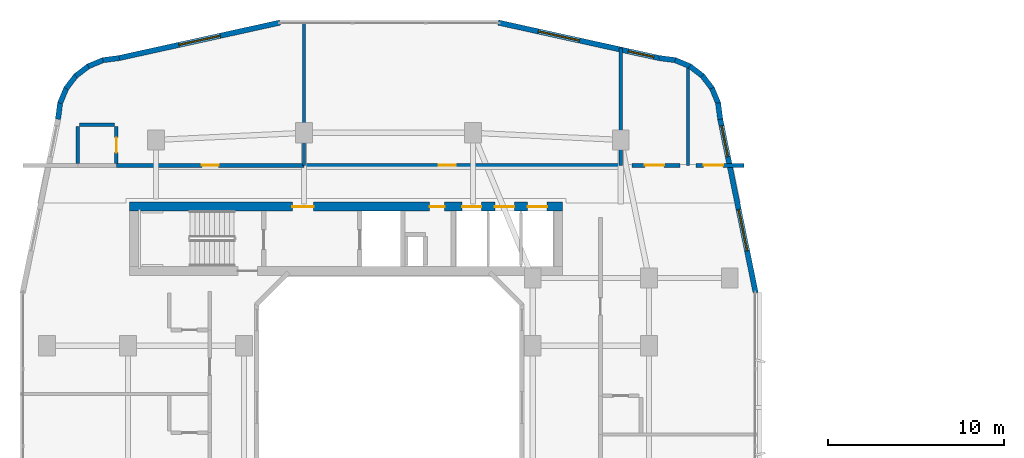
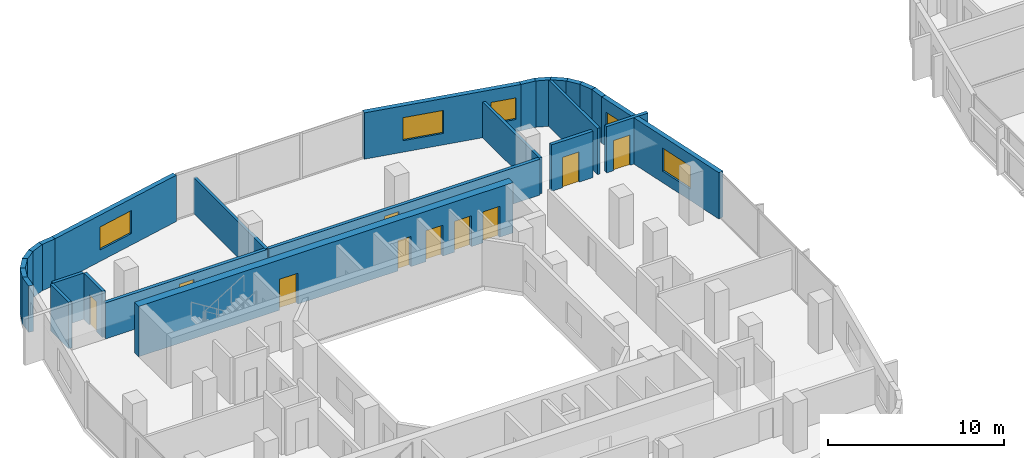
# One storey, part 16 of 26: 26 walls, 10 doors, 5 windows, 15 openings.
"""IFC4 building model written with IfcOpenShell, lengths in metres."""

from ifc_helpers import new_model, si_unit, derived_unit, direction, frame, frame_2d, origin, place, context, subcontext, project, spatial, rectangle, extrude, material, layer, layer_set, type_object, element, fill, save


model = new_model("IFC4")

# Units and contexts
model_context = context("Model", 3, precision=1e-05, world=origin(), true_north=direction((0.0, 1.0)))
body_context = subcontext(model_context, "Body", "Model", "MODEL_VIEW")
ifc_project = project(units=[si_unit("LENGTHUNIT", "METRE"), si_unit("AREAUNIT", "SQUARE_METRE"), si_unit("VOLUMEUNIT", "CUBIC_METRE"), si_unit("PLANEANGLEUNIT", "RADIAN"), si_unit("MASSUNIT", "GRAM", prefix="KILO"), derived_unit("THERMALTRANSMITTANCEUNIT", [(si_unit("POWERUNIT", "WATT"), 1), (si_unit("LENGTHUNIT", "METRE"), -2), (si_unit("THERMODYNAMICTEMPERATUREUNIT", "KELVIN"), -1)])], contexts=[model_context])

# Site, building, storey
site_placement = place(None, origin())
site = spatial("IfcSite", under=ifc_project, at=site_placement, CompositionType="ELEMENT")
building_placement = place(site_placement, origin())
building = spatial("IfcBuilding", under=site, at=building_placement, Name="Kivonza Crest Hotel", CompositionType="ELEMENT")
storey_placement = place(building_placement, frame((0.0, 0.0, 66.0)))
storey = spatial("IfcBuildingStorey", under=building, at=storey_placement, Name="L17", CompositionType="ELEMENT", Elevation=66.0)

# Walls
ifc_material_1 = material(Name="High-density acoustic masonry inter-tenancy wall", Category="masonry")
ifc_layer_1 = layer(ifc_material_1, 0.179931640625)
ifc_layer_set_1 = layer_set([ifc_layer_1], Name="High-density acoustic masonry inter-tenancy wall")
wall_type_1 = type_object("IfcWallType", Name="WL-ACOU-180", PredefinedType="SOLIDWALL", material=ifc_layer_set_1)
wall_1_placement = place(storey_placement, frame((16.199951171875, 38.75, 0.0), z_axis=(0.0, 0.0, 1.0), x_axis=(0.0, 1.0, 0.0)))
element("IfcWall", 1, at=wall_1_placement, inside=storey, type_object=wall_type_1, Name="L17 interior partition WA-L17-T1N-DIV1", PredefinedType="SOLIDWALL", context=body_context, shape_type="SweptSolid", body=[
    extrude(rectangle(XDim=8.18994140625, YDim=0.179931640625, at=frame_2d((4.094970703125, 0.0))), origin(), (0.0, 0.0, 1.0), 2.4951171875),
])
wall_2_placement = place(storey_placement, frame((34.199951171875, 38.75, 0.0), z_axis=(0.0, 0.0, 1.0), x_axis=(0.0, 1.0, 0.0)))
element("IfcWall", 2, at=wall_2_placement, inside=storey, type_object=wall_type_1, Name="L17 interior partition WA-L17-T1N-DIV2", PredefinedType="SOLIDWALL", context=body_context, shape_type="SweptSolid", body=[
    extrude(rectangle(XDim=6.674072265625, YDim=0.179931640625, at=frame_2d((3.3369140625, 0.0))), origin(), (0.0, 0.0, 1.0), 2.4951171875),
])
wall_3_placement = place(storey_placement, frame((38.02001953125, 38.75, 0.0), z_axis=(0.0, 0.0, 1.0), x_axis=(0.0, 1.0, 0.0)))
element("IfcWall", 3, at=wall_3_placement, inside=storey, type_object=wall_type_1, Name="L17 interior partition WA-L17-T1N-SPDIV2", PredefinedType="SOLIDWALL", context=body_context, shape_type="SweptSolid", body=[
    extrude(rectangle(XDim=5.778076171875, YDim=0.179931640625, at=frame_2d((2.88916015625, 0.0))), origin(), (0.0, 0.0, 1.0), 3.219970703125),
])

# Wall, opening, door
ifc_material_2 = material(Name="Autoclaved aerated concrete blockwork", Category="masonry")
ifc_layer_2 = layer(ifc_material_2, 0.219970703125)
ifc_layer_set_2 = layer_set([ifc_layer_2], Name="Autoclaved aerated concrete blockwork")
wall_type_2 = type_object("IfcWallType", Name="WL-ACOU-220", PredefinedType="SOLIDWALL", material=ifc_layer_set_2)
wall_4_placement = place(storey_placement, frame((5.550048828125, 38.75, 0.0), z_axis=(0.0, 0.0, 1.0), x_axis=(1.0, 0.0, 0.0)))
wall_4 = element("IfcWall", 4, at=wall_4_placement, inside=storey, type_object=wall_type_2, Name="L17 interior partition WA-L17-N01-MCORR", PredefinedType="SOLIDWALL", context=body_context, shape_type="SweptSolid", body=[
    extrude(rectangle(XDim=10.64990234375, YDim=0.219970703125, at=frame_2d((5.324951171875, 0.0))), origin(), (0.0, 0.0, 1.0), 2.4951171875),
])
opening_1_placement = place(wall_4_placement, frame((4.85009765625, 0.0, 0.0)))
opening_1 = element("IfcOpeningElement", 5, at=opening_1_placement, cuts=wall_4, Name="Opening DU-60", PredefinedType="OPENING", context=body_context, shape_type="SweptSolid", body=[
    extrude(rectangle(XDim=0.949951171875, YDim=2.10009765625, at=frame_2d((0.47509765625, 1.050048828125))), frame((0.0, 0.1201171875, 0.0), z_axis=(0.0, -1.0, 0.0), x_axis=(1.0, 0.0, 0.0)), (0.0, 0.0, 1.0), 0.239990234375),
])
ifc_material_3 = material(Name="Hardwood timber oak", Category="wood")
door_type_1 = type_object("IfcDoorType", Name="DR-UNIT-950", OperationType="NOTDEFINED", PredefinedType="DOOR", material=ifc_material_3)
door_1_placement = place(opening_1_placement, origin())
door_1 = element("IfcDoor", 6, at=door_1_placement, inside=storey, type_object=door_type_1, Name="L17 N01 guest unit entrance fire door", OperationType="SINGLE_SWING_LEFT", OverallHeight=2.10009765625, OverallWidth=0.949951171875, PredefinedType="DOOR", context=body_context, shape_type="SweptSolid", body=[
    extrude(rectangle(XDim=0.949951171875, YDim=2.10009765625, at=frame_2d((0.47509765625, 1.050048828125))), frame((0.0, 0.02490234375, 0.0), z_axis=(0.0, -1.0, 0.0), x_axis=(1.0, 0.0, 0.0)), (0.0, 0.0, 1.0), 0.050048828125),
])
fill(opening_1, door_1)

wall_5_placement = place(storey_placement, frame((16.300048828125, 38.75, 0.0), z_axis=(0.0, 0.0, 1.0), x_axis=(1.0, 0.0, 0.0)))
wall_5 = element("IfcWall", 7, at=wall_5_placement, inside=storey, type_object=wall_type_2, Name="L17 interior partition WA-L17-HK-MAIN-S", PredefinedType="SOLIDWALL", context=body_context, shape_type="SweptSolid", body=[
    extrude(rectangle(XDim=17.800048828125, YDim=0.219970703125, at=frame_2d((8.89990234375, 0.0))), origin(), (0.0, 0.0, 1.0), 2.4951171875),
])
opening_2_placement = place(wall_5_placement, frame((7.572998046875, 0.0, 0.0)))
opening_2 = element("IfcOpeningElement", 8, at=opening_2_placement, cuts=wall_5, Name="Opening DF-60S", PredefinedType="OPENING", context=body_context, shape_type="SweptSolid", body=[
    extrude(rectangle(XDim=0.949951171875, YDim=2.10009765625, at=frame_2d((0.47509765625, 1.050048828125))), frame((0.0, 0.1201171875, 0.0), z_axis=(0.0, -1.0, 0.0), x_axis=(1.0, 0.0, 0.0)), (0.0, 0.0, 1.0), 0.239990234375),
])
door_type_2 = type_object("IfcDoorType", Name="DR-FD60-950", OperationType="NOTDEFINED", PredefinedType="DOOR", material=ifc_material_3)
door_2_placement = place(opening_2_placement, origin())
door_2 = element("IfcDoor", 9, at=door_2_placement, inside=storey, type_object=door_type_2, Name="L17 Housekeeping and Linen Room door", OperationType="SINGLE_SWING_RIGHT", OverallHeight=2.10009765625, OverallWidth=0.949951171875, PredefinedType="DOOR", context=body_context, shape_type="SweptSolid", body=[
    extrude(rectangle(XDim=0.949951171875, YDim=2.10009765625, at=frame_2d((0.47509765625, 1.050048828125))), frame((0.0, 0.02490234375, 0.0), z_axis=(0.0, -1.0, 0.0), x_axis=(1.0, 0.0, 0.0)), (0.0, 0.0, 1.0), 0.050048828125),
])
fill(opening_2, door_2)

wall_6_placement = place(storey_placement, frame((34.85009765625, 38.75, 0.0), z_axis=(0.0, 0.0, 1.0), x_axis=(1.0, 0.0, 0.0)))
wall_6 = element("IfcWall", 10, at=wall_6_placement, inside=storey, type_object=wall_type_2, Name="L17 interior partition WA-L17-Z1-NBIZ2A-S", PredefinedType="SOLIDWALL", context=body_context, shape_type="SweptSolid", body=[
    extrude(rectangle(XDim=2.719970703125, YDim=0.219970703125, at=frame_2d((1.35986328125, 0.0))), origin(), (0.0, 0.0, 1.0), 3.219970703125),
])
opening_3_placement = place(wall_6_placement, frame((0.718994140625, 0.0, 0.0)))
opening_3 = element("IfcOpeningElement", 11, at=opening_3_placement, cuts=wall_6, Name="Opening DF-60M", PredefinedType="OPENING", context=body_context, shape_type="SweptSolid", body=[
    extrude(rectangle(XDim=1.10009765625, YDim=2.10009765625, at=frame_2d((0.550048828125, 1.050048828125))), frame((0.0, 0.1201171875, 0.0), z_axis=(0.0, -1.0, 0.0), x_axis=(1.0, 0.0, 0.0)), (0.0, 0.0, 1.0), 0.239990234375),
])
door_type_3 = type_object("IfcDoorType", Name="DR-FD60-1100", OperationType="NOTDEFINED", PredefinedType="DOOR", material=ifc_material_3)
door_3_placement = place(opening_3_placement, origin())
door_3 = element("IfcDoor", 12, at=door_3_placement, inside=storey, type_object=door_type_3, Name="L17 Executive Sky Business Office door", OperationType="SINGLE_SWING_RIGHT", OverallHeight=2.10009765625, OverallWidth=1.10009765625, PredefinedType="DOOR", context=body_context, shape_type="SweptSolid", body=[
    extrude(rectangle(XDim=1.10009765625, YDim=2.10009765625, at=frame_2d((0.550048828125, 1.050048828125))), frame((0.0, 0.02490234375, 0.0), z_axis=(0.0, -1.0, 0.0), x_axis=(1.0, 0.0, 0.0)), (0.0, 0.0, 1.0), 0.050048828125),
])
fill(opening_3, door_3)

wall_7_placement = place(storey_placement, frame((38.469970703125, 38.75, 0.0), z_axis=(0.0, 0.0, 1.0), x_axis=(1.0, 0.0, 0.0)))
wall_7 = element("IfcWall", 13, at=wall_7_placement, inside=storey, type_object=wall_type_2, Name="L17 interior partition WA-L17-Z1-NBIZ2B-S", PredefinedType="SOLIDWALL", context=body_context, shape_type="SweptSolid", body=[
    extrude(rectangle(XDim=2.719970703125, YDim=0.219970703125, at=frame_2d((1.35986328125, 0.0))), origin(), (0.0, 0.0, 1.0), 3.219970703125),
])
opening_4_placement = place(wall_7_placement, frame((0.43896484375, 0.0, 0.0)))
opening_4 = element("IfcOpeningElement", 14, at=opening_4_placement, cuts=wall_7, Name="Opening DF-60M", PredefinedType="OPENING", context=body_context, shape_type="SweptSolid", body=[
    extrude(rectangle(XDim=1.10009765625, YDim=2.10009765625, at=frame_2d((0.550048828125, 1.050048828125))), frame((0.0, 0.1201171875, 0.0), z_axis=(0.0, -1.0, 0.0), x_axis=(1.0, 0.0, 0.0)), (0.0, 0.0, 1.0), 0.239990234375),
])
door_4_placement = place(opening_4_placement, origin())
door_4 = element("IfcDoor", 15, at=door_4_placement, inside=storey, type_object=door_type_3, Name="L17 Executive Sky Delegation Office door", OperationType="SINGLE_SWING_LEFT", OverallHeight=2.10009765625, OverallWidth=1.10009765625, PredefinedType="DOOR", context=body_context, shape_type="SweptSolid", body=[
    extrude(rectangle(XDim=1.10009765625, YDim=2.10009765625, at=frame_2d((0.550048828125, 1.050048828125))), frame((0.0, 0.02490234375, 0.0), z_axis=(0.0, -1.0, 0.0), x_axis=(1.0, 0.0, 0.0)), (0.0, 0.0, 1.0), 0.050048828125),
])
fill(opening_4, door_4)

# Wall, openings, doors
ifc_material_4 = material(Name="Concrete C60/75", Category="concrete")
ifc_layer_3 = layer(ifc_material_4, 0.5)
ifc_layer_set_3 = layer_set([ifc_layer_3], Name="Concrete C60/75")
wall_type_3 = type_object("IfcWallType", Name="WL-CORE-500", PredefinedType="SHEAR", material=ifc_layer_set_3)
wall_8_placement = place(storey_placement, frame((6.300048828125, 36.409912109375, 0.0), z_axis=(0.0, 0.0, 1.0), x_axis=(1.0, 0.0, 0.0)))
wall_8 = element("IfcWall", 16, at=wall_8_placement, inside=storey, type_object=wall_type_3, Name="Core wall T1-N North L17", PredefinedType="SHEAR", context=body_context, shape_type="SweptSolid", body=[
    extrude(rectangle(XDim=24.599853515625, YDim=0.5, at=frame_2d((12.2998046875, 0.0))), origin(), (0.0, 0.0, 1.0), 3.5),
])
opening_5_placement = place(wall_8_placement, frame((9.25, 0.0, 0.0)))
opening_5 = element("IfcOpeningElement", 17, at=opening_5_placement, cuts=wall_8, Name="Opening DF-60", PredefinedType="OPENING", context=body_context, shape_type="SweptSolid", body=[
    extrude(rectangle(XDim=1.199951171875, YDim=2.14990234375, at=frame_2d((0.60009765625, 1.074951171875))), frame((0.0, 0.260009765625, 0.0), z_axis=(0.0, -1.0, 0.0), x_axis=(1.0, 0.0, 0.0)), (0.0, 0.0, 1.0), 0.52001953125),
])
opening_6_placement = place(wall_8_placement, frame((17.0400390625, 0.0, 0.0)))
opening_6 = element("IfcOpeningElement", 18, at=opening_6_placement, cuts=wall_8, Name="Opening DF-60R", PredefinedType="OPENING", context=body_context, shape_type="SweptSolid", body=[
    extrude(rectangle(XDim=0.85009765625, YDim=2.10009765625, at=frame_2d((0.425048828125, 1.050048828125))), frame((0.0, 0.260009765625, 0.0), z_axis=(0.0, -1.0, 0.0), x_axis=(1.0, 0.0, 0.0)), (0.0, 0.0, 1.0), 0.52001953125),
])
opening_7_placement = place(wall_8_placement, frame((18.883056640625, 0.0, 0.0)))
opening_7 = element("IfcOpeningElement", 19, at=opening_7_placement, cuts=wall_8, Name="Opening LD-120", PredefinedType="OPENING", context=body_context, shape_type="SweptSolid", body=[
    extrude(rectangle(XDim=1.10009765625, YDim=2.14990234375, at=frame_2d((0.550048828125, 1.074951171875))), frame((0.0, 0.260009765625, 0.0), z_axis=(0.0, -1.0, 0.0), x_axis=(1.0, 0.0, 0.0)), (0.0, 0.0, 1.0), 0.52001953125),
])
opening_8_placement = place(wall_8_placement, frame((20.75, 0.0, 0.0)))
opening_8 = element("IfcOpeningElement", 20, at=opening_8_placement, cuts=wall_8, Name="Opening LD-120", PredefinedType="OPENING", context=body_context, shape_type="SweptSolid", body=[
    extrude(rectangle(XDim=1.10009765625, YDim=2.14990234375, at=frame_2d((0.550048828125, 1.074951171875))), frame((0.0, 0.260009765625, 0.0), z_axis=(0.0, -1.0, 0.0), x_axis=(1.0, 0.0, 0.0)), (0.0, 0.0, 1.0), 0.52001953125),
])
opening_9_placement = place(wall_8_placement, frame((22.615966796875, 0.0, 0.0)))
opening_9 = element("IfcOpeningElement", 21, at=opening_9_placement, cuts=wall_8, Name="Opening LD-120", PredefinedType="OPENING", context=body_context, shape_type="SweptSolid", body=[
    extrude(rectangle(XDim=1.10009765625, YDim=2.14990234375, at=frame_2d((0.550048828125, 1.074951171875))), frame((0.0, 0.260009765625, 0.0), z_axis=(0.0, -1.0, 0.0), x_axis=(1.0, 0.0, 0.0)), (0.0, 0.0, 1.0), 0.52001953125),
])
door_type_4 = type_object("IfcDoorType", Name="DR-FD60-1200", OperationType="NOTDEFINED", PredefinedType="DOOR", material=ifc_material_3)
door_5_placement = place(opening_5_placement, origin())
door_5 = element("IfcDoor", 22, at=door_5_placement, inside=storey, type_object=door_type_4, Name="L17 T1-N firefighting lobby fire door", OperationType="SINGLE_SWING_RIGHT", OverallHeight=2.14990234375, OverallWidth=1.199951171875, PredefinedType="DOOR", context=body_context, shape_type="SweptSolid", body=[
    extrude(rectangle(XDim=1.199951171875, YDim=2.14990234375, at=frame_2d((0.60009765625, 1.074951171875))), frame((0.0, 0.02490234375, 0.0), z_axis=(0.0, -1.0, 0.0), x_axis=(1.0, 0.0, 0.0)), (0.0, 0.0, 1.0), 0.050048828125),
])
fill(opening_5, door_5)
door_type_5 = type_object("IfcDoorType", Name="DR-FD60-850", OperationType="NOTDEFINED", PredefinedType="DOOR", material=ifc_material_3)
door_6_placement = place(opening_6_placement, origin())
door_6 = element("IfcDoor", 23, at=door_6_placement, inside=storey, type_object=door_type_5, Name="L17 T1-N core room door", OperationType="SINGLE_SWING_RIGHT", OverallHeight=2.10009765625, OverallWidth=0.85009765625, PredefinedType="DOOR", context=body_context, shape_type="SweptSolid", body=[
    extrude(rectangle(XDim=0.85009765625, YDim=2.10009765625, at=frame_2d((0.425048828125, 1.050048828125))), frame((0.0, 0.02490234375, 0.0), z_axis=(0.0, -1.0, 0.0), x_axis=(1.0, 0.0, 0.0)), (0.0, 0.0, 1.0), 0.050048828125),
])
fill(opening_6, door_6)
ifc_material_5 = material(Name="Stainless steel", Category="steel")
door_type_6 = type_object("IfcDoorType", Name="DR-LD120-1100", OperationType="NOTDEFINED", PredefinedType="DOOR", material=ifc_material_5)
door_7_placement = place(opening_7_placement, origin())
door_7 = element("IfcDoor", 24, at=door_7_placement, inside=storey, type_object=door_type_6, Name="L17 PL-T1-L1 passenger lift sliding landing door", OperationType="DOUBLE_DOOR_SLIDING", OverallHeight=2.14990234375, OverallWidth=1.10009765625, PredefinedType="DOOR", context=body_context, shape_type="SweptSolid", body=[
    extrude(rectangle(XDim=1.10009765625, YDim=2.14990234375, at=frame_2d((0.550048828125, 1.074951171875))), frame((0.0, 0.02490234375, 0.0), z_axis=(0.0, -1.0, 0.0), x_axis=(1.0, 0.0, 0.0)), (0.0, 0.0, 1.0), 0.050048828125),
])
fill(opening_7, door_7)
door_8_placement = place(opening_8_placement, origin())
door_8 = element("IfcDoor", 25, at=door_8_placement, inside=storey, type_object=door_type_6, Name="L17 PL-T1-L2 passenger lift sliding landing door", OperationType="DOUBLE_DOOR_SLIDING", OverallHeight=2.14990234375, OverallWidth=1.10009765625, PredefinedType="DOOR", context=body_context, shape_type="SweptSolid", body=[
    extrude(rectangle(XDim=1.10009765625, YDim=2.14990234375, at=frame_2d((0.550048828125, 1.074951171875))), frame((0.0, 0.02490234375, 0.0), z_axis=(0.0, -1.0, 0.0), x_axis=(1.0, 0.0, 0.0)), (0.0, 0.0, 1.0), 0.050048828125),
])
fill(opening_8, door_8)
door_9_placement = place(opening_9_placement, origin())
door_9 = element("IfcDoor", 26, at=door_9_placement, inside=storey, type_object=door_type_6, Name="L17 PL-T1-L3 passenger lift sliding landing door", OperationType="DOUBLE_DOOR_SLIDING", OverallHeight=2.14990234375, OverallWidth=1.10009765625, PredefinedType="DOOR", context=body_context, shape_type="SweptSolid", body=[
    extrude(rectangle(XDim=1.10009765625, YDim=2.14990234375, at=frame_2d((0.550048828125, 1.074951171875))), frame((0.0, 0.02490234375, 0.0), z_axis=(0.0, -1.0, 0.0), x_axis=(1.0, 0.0, 0.0)), (0.0, 0.0, 1.0), 0.050048828125),
])
fill(opening_9, door_9)

# Wall, openings, windows
ifc_material_6 = material(Name="Precast concrete C40/50", Category="concrete")
ifc_layer_4 = layer(ifc_material_6, 0.300048828125)
ifc_layer_set_4 = layer_set([ifc_layer_4], Name="Precast concrete C40/50")
wall_type_4 = type_object("IfcWallType", Name="WL-EXT-300", PredefinedType="STANDARD", material=ifc_layer_set_4)
wall_9_placement = place(storey_placement, frame((41.864013671875, 31.51611328125, 0.0), z_axis=(0.0, 0.0, 1.0), x_axis=(-0.199990901713, 0.979797754249, 0.0)))
wall_9 = element("IfcWall", 27, at=wall_9_placement, inside=storey, type_object=wall_type_4, Name="L17 T1 exterior insulated wall 18", PredefinedType="STANDARD", context=body_context, shape_type="SweptSolid", body=[
    extrude(rectangle(XDim=10.065185546875, YDim=0.300048828125, at=frame_2d((5.03271484375, 0.0))), origin(), (0.0, 0.0, 1.0), 3.219970703125),
])
opening_10_placement = place(wall_9_placement, frame((2.428955078125, 0.0, 0.800048828125)))
opening_10 = element("IfcOpeningElement", 28, at=opening_10_placement, cuts=wall_9, Name="Opening WN-05", PredefinedType="OPENING", context=body_context, shape_type="SweptSolid", body=[
    extrude(rectangle(XDim=2.39990234375, YDim=1.60009765625, at=frame_2d((1.199951171875, 0.800048828125))), frame((0.0, 0.16015625, 0.0), z_axis=(0.0, -1.0, 0.0), x_axis=(1.0, 0.0, 0.0)), (0.0, 0.0, 1.0), 0.320068359375),
])
opening_11_placement = place(wall_9_placement, frame((7.886962890625, 0.0, 0.85009765625)))
opening_11 = element("IfcOpeningElement", 29, at=opening_11_placement, cuts=wall_9, Name="Opening WN-03", PredefinedType="OPENING", context=body_context, shape_type="SweptSolid", body=[
    extrude(rectangle(XDim=1.800048828125, YDim=1.5, at=frame_2d((0.89990234375, 0.75))), frame((0.0, 0.16015625, 0.0), z_axis=(0.0, -1.0, 0.0), x_axis=(1.0, 0.0, 0.0)), (0.0, 0.0, 1.0), 0.320068359375),
])
ifc_material_7 = material(Name="Thermally broken bronze aluminium and low-E double glazing", Category="aluminium")
window_type_1 = type_object("IfcWindowType", Name="WN-180x150", PartitioningType="DOUBLE_PANEL_VERTICAL", PredefinedType="WINDOW", material=ifc_material_7)
window_1_placement = place(opening_11_placement, origin())
window_1 = element("IfcWindow", 30, at=window_1_placement, inside=storey, type_object=window_type_1, Name="L17 T1 facade window 18 bay 2", OverallHeight=1.5, OverallWidth=1.800048828125, PartitioningType="SINGLE_PANEL", PredefinedType="WINDOW", context=body_context, shape_type="SweptSolid", body=[
    extrude(rectangle(XDim=1.800048828125, YDim=1.5, at=frame_2d((0.89990234375, 0.75))), frame((0.0, 0.030029296875, 0.0), z_axis=(0.0, -1.0, 0.0), x_axis=(1.0, 0.0, 0.0)), (0.0, 0.0, 1.0), 0.06005859375),
])
fill(opening_11, window_1)
window_type_2 = type_object("IfcWindowType", Name="WN-240x160", PartitioningType="TRIPLE_PANEL_VERTICAL", PredefinedType="WINDOW", material=ifc_material_7)
window_2_placement = place(opening_10_placement, origin())
window_2 = element("IfcWindow", 31, at=window_2_placement, inside=storey, type_object=window_type_2, Name="L17 T1 facade window 18 bay 1", OverallHeight=1.60009765625, OverallWidth=2.39990234375, PartitioningType="SINGLE_PANEL", PredefinedType="WINDOW", context=body_context, shape_type="SweptSolid", body=[
    extrude(rectangle(XDim=2.39990234375, YDim=1.60009765625, at=frame_2d((1.199951171875, 0.800048828125))), frame((0.0, 0.030029296875, 0.0), z_axis=(0.0, -1.0, 0.0), x_axis=(1.0, 0.0, 0.0)), (0.0, 0.0, 1.0), 0.06005859375),
])
fill(opening_10, window_2)

# Walls
wall_10_placement = place(storey_placement, frame((39.85205078125, 41.3720703125, 0.0), z_axis=(0.0, 0.0, 1.0), x_axis=(-0.131174864804, 0.991359246108, 0.0)))
element("IfcWall", 32, at=wall_10_placement, inside=storey, type_object=wall_type_4, Name="L17 T1 exterior insulated wall 19", PredefinedType="STANDARD", context=body_context, shape_type="SweptSolid", body=[
    extrude(rectangle(XDim=0.93798828125, YDim=0.300048828125, at=frame_2d((0.468994140625, 0.0))), origin(), (0.0, 0.0, 1.0), 3.219970703125),
])
wall_11_placement = place(storey_placement, frame((39.748046875, 42.251953125, 0.0), z_axis=(0.0, 0.0, 1.0), x_axis=(-0.382344263057, 0.924019948111, 0.0)))
element("IfcWall", 33, at=wall_11_placement, inside=storey, type_object=wall_type_4, Name="L17 T1 exterior insulated wall 20", PredefinedType="STANDARD", context=body_context, shape_type="SweptSolid", body=[
    extrude(rectangle(XDim=0.95458984375, YDim=0.300048828125, at=frame_2d((0.477294921875, 0.0))), origin(), (0.0, 0.0, 1.0), 3.219970703125),
])
wall_12_placement = place(storey_placement, frame((39.4140625, 43.089111328125, 0.0), z_axis=(0.0, 0.0, 1.0), x_axis=(-0.608474481025, 0.793573440799, 0.0)))
element("IfcWall", 34, at=wall_12_placement, inside=storey, type_object=wall_type_4, Name="L17 T1 exterior insulated wall 21", PredefinedType="STANDARD", context=body_context, shape_type="SweptSolid", body=[
    extrude(rectangle(XDim=0.954833984375, YDim=0.300048828125, at=frame_2d((0.4775390625, 0.0))), origin(), (0.0, 0.0, 1.0), 3.219970703125),
])
wall_13_placement = place(storey_placement, frame((38.875, 43.81201171875, 0.0), z_axis=(0.0, 0.0, 1.0), x_axis=(-0.793668068435, 0.608351047625, 0.0)))
element("IfcWall", 35, at=wall_13_placement, inside=storey, type_object=wall_type_4, Name="L17 T1 exterior insulated wall 22", PredefinedType="STANDARD", context=body_context, shape_type="SweptSolid", body=[
    extrude(rectangle(XDim=0.955078125, YDim=0.300048828125, at=frame_2d((0.4775390625, 0.0))), origin(), (0.0, 0.0, 1.0), 3.219970703125),
])
wall_14_placement = place(storey_placement, frame((38.166015625, 44.368896484375, 0.0), z_axis=(0.0, 0.0, 1.0), x_axis=(-0.924019948111, 0.382344263057, 0.0)))
element("IfcWall", 36, at=wall_14_placement, inside=storey, type_object=wall_type_4, Name="L17 T1 exterior insulated wall 23", PredefinedType="STANDARD", context=body_context, shape_type="SweptSolid", body=[
    extrude(rectangle(XDim=0.95458984375, YDim=0.300048828125, at=frame_2d((0.477294921875, 0.0))), origin(), (0.0, 0.0, 1.0), 3.219970703125),
])
wall_15_placement = place(storey_placement, frame((37.3369140625, 44.72509765625, 0.0), z_axis=(0.0, 0.0, 1.0), x_axis=(-0.991454295543, 0.130454512571, 0.0)))
element("IfcWall", 37, at=wall_15_placement, inside=storey, type_object=wall_type_4, Name="L17 T1 exterior insulated wall 24", PredefinedType="STANDARD", context=body_context, shape_type="SweptSolid", body=[
    extrude(rectangle(XDim=0.97314453125, YDim=0.300048828125, at=frame_2d((0.486572265625, 0.0))), origin(), (0.0, 0.0, 1.0), 3.219970703125),
])

# Wall, openings, windows
wall_16_placement = place(storey_placement, frame((36.3759765625, 44.85205078125, 0.0), z_axis=(0.0, 0.0, 1.0), x_axis=(-0.97654500432, 0.215313386808, 0.0)))
wall_16 = element("IfcWall", 38, at=wall_16_placement, inside=storey, type_object=wall_type_4, Name="L17 T1 exterior insulated wall 25", PredefinedType="STANDARD", context=body_context, shape_type="SweptSolid", body=[
    extrude(rectangle(XDim=9.353515625, YDim=0.300048828125, at=frame_2d((4.6767578125, 0.0))), origin(), (0.0, 0.0, 1.0), 3.219970703125),
])
opening_12_placement = place(wall_16_placement, frame((0.299072265625, 0.0, 0.85009765625)))
opening_12 = element("IfcOpeningElement", 39, at=opening_12_placement, cuts=wall_16, Name="Opening WN-02", PredefinedType="OPENING", context=body_context, shape_type="SweptSolid", body=[
    extrude(rectangle(XDim=1.5, YDim=1.5, at=frame_2d((0.75, 0.75))), frame((0.0, 0.16015625, 0.0), z_axis=(0.0, -1.0, 0.0), x_axis=(1.0, 0.0, 0.0)), (0.0, 0.0, 1.0), 0.320068359375),
])
opening_13_placement = place(wall_16_placement, frame((4.631103515625, 0.0, 0.800048828125)))
opening_13 = element("IfcOpeningElement", 40, at=opening_13_placement, cuts=wall_16, Name="Opening WN-05", PredefinedType="OPENING", context=body_context, shape_type="SweptSolid", body=[
    extrude(rectangle(XDim=2.39990234375, YDim=1.60009765625, at=frame_2d((1.199951171875, 0.800048828125))), frame((0.0, 0.16015625, 0.0), z_axis=(0.0, -1.0, 0.0), x_axis=(1.0, 0.0, 0.0)), (0.0, 0.0, 1.0), 0.320068359375),
])
window_type_3 = type_object("IfcWindowType", Name="WN-150x150", PartitioningType="DOUBLE_PANEL_VERTICAL", PredefinedType="WINDOW", material=ifc_material_7)
window_3_placement = place(opening_12_placement, origin())
window_3 = element("IfcWindow", 41, at=window_3_placement, inside=storey, type_object=window_type_3, Name="L17 T1 facade window 25 bay 1", OverallHeight=1.5, OverallWidth=1.5, PartitioningType="SINGLE_PANEL", PredefinedType="WINDOW", context=body_context, shape_type="SweptSolid", body=[
    extrude(rectangle(XDim=1.5, YDim=1.5, at=frame_2d((0.75, 0.75))), frame((0.0, 0.030029296875, 0.0), z_axis=(0.0, -1.0, 0.0), x_axis=(1.0, 0.0, 0.0)), (0.0, 0.0, 1.0), 0.06005859375),
])
fill(opening_12, window_3)
window_4_placement = place(opening_13_placement, origin())
window_4 = element("IfcWindow", 42, at=window_4_placement, inside=storey, type_object=window_type_2, Name="L17 T1 facade window 25 bay 2", OverallHeight=1.60009765625, OverallWidth=2.39990234375, PartitioningType="SINGLE_PANEL", PredefinedType="WINDOW", context=body_context, shape_type="SweptSolid", body=[
    extrude(rectangle(XDim=2.39990234375, YDim=1.60009765625, at=frame_2d((1.199951171875, 0.800048828125))), frame((0.0, 0.030029296875, 0.0), z_axis=(0.0, -1.0, 0.0), x_axis=(1.0, 0.0, 0.0)), (0.0, 0.0, 1.0), 0.06005859375),
])
fill(opening_13, window_4)

# Wall, opening, window
wall_17_placement = place(storey_placement, frame((14.837890625, 46.865966796875, 0.0), z_axis=(0.0, 0.0, 1.0), x_axis=(-0.9765437942, -0.215318875183, 0.0)))
wall_17 = element("IfcWall", 43, at=wall_17_placement, inside=storey, type_object=wall_type_4, Name="L17 T1 exterior insulated wall 27", PredefinedType="STANDARD", context=body_context, shape_type="SweptSolid", body=[
    extrude(rectangle(XDim=9.353271484375, YDim=0.300048828125, at=frame_2d((4.6767578125, 0.0))), origin(), (0.0, 0.0, 1.0), 3.219970703125),
])
opening_14_placement = place(wall_17_placement, frame((3.47705078125, 0.0, 0.800048828125)))
opening_14 = element("IfcOpeningElement", 44, at=opening_14_placement, cuts=wall_17, Name="Opening WN-05", PredefinedType="OPENING", context=body_context, shape_type="SweptSolid", body=[
    extrude(rectangle(XDim=2.39990234375, YDim=1.60009765625, at=frame_2d((1.199951171875, 0.800048828125))), frame((0.0, 0.16015625, 0.0), z_axis=(0.0, -1.0, 0.0), x_axis=(1.0, 0.0, 0.0)), (0.0, 0.0, 1.0), 0.320068359375),
])
window_5_placement = place(opening_14_placement, origin())
window_5 = element("IfcWindow", 45, at=window_5_placement, inside=storey, type_object=window_type_2, Name="L17 T1 facade window 27", OverallHeight=1.60009765625, OverallWidth=2.39990234375, PartitioningType="SINGLE_PANEL", PredefinedType="WINDOW", context=body_context, shape_type="SweptSolid", body=[
    extrude(rectangle(XDim=2.39990234375, YDim=1.60009765625, at=frame_2d((1.199951171875, 0.800048828125))), frame((0.0, 0.030029296875, 0.0), z_axis=(0.0, -1.0, 0.0), x_axis=(1.0, 0.0, 0.0)), (0.0, 0.0, 1.0), 0.06005859375),
])
fill(opening_14, window_5)

# Walls
wall_18_placement = place(storey_placement, frame((5.7080078125, 44.85205078125, 0.0), z_axis=(0.0, 0.0, 1.0), x_axis=(-0.991359246108, -0.131174864804, 0.0)))
element("IfcWall", 46, at=wall_18_placement, inside=storey, type_object=wall_type_4, Name="L17 T1 exterior insulated wall 28", PredefinedType="STANDARD", context=body_context, shape_type="SweptSolid", body=[
    extrude(rectangle(XDim=0.93798828125, YDim=0.300048828125, at=frame_2d((0.468994140625, 0.0))), origin(), (0.0, 0.0, 1.0), 3.219970703125),
])
wall_19_placement = place(storey_placement, frame((4.827880859375, 44.748046875, 0.0), z_axis=(0.0, 0.0, 1.0), x_axis=(-0.923982547689, -0.382434636986, 0.0)))
element("IfcWall", 47, at=wall_19_placement, inside=storey, type_object=wall_type_4, Name="L17 T1 exterior insulated wall 29", PredefinedType="STANDARD", context=body_context, shape_type="SweptSolid", body=[
    extrude(rectangle(XDim=0.954345703125, YDim=0.300048828125, at=frame_2d((0.47705078125, 0.0))), origin(), (0.0, 0.0, 1.0), 3.219970703125),
])
for number, where, z_axis, x_axis, name in (
    (48, (3.990966796875, 44.4140625, 0.0), (0.0, 0.0, 1.0), (-0.793668068435, -0.608351047625, 0.0), "L17 T1 exterior insulated wall 30"),
    (49, (3.26806640625, 43.875, 0.0), (0.0, 0.0, 1.0), (-0.608351047625, -0.793668068435, 0.0), "L17 T1 exterior insulated wall 31"),
):
    element("IfcWall", number, at=place(storey_placement, frame(where, z_axis=z_axis, x_axis=x_axis)), inside=storey, type_object=wall_type_4, Name=name, PredefinedType="STANDARD", context=body_context, shape_type="SweptSolid", body=[
        extrude(rectangle(XDim=0.955078125, YDim=0.300048828125, at=frame_2d((0.4775390625, 0.0))), origin(), (0.0, 0.0, 1.0), 3.219970703125),
    ])
wall_20_placement = place(storey_placement, frame((2.7109375, 43.166015625, 0.0), z_axis=(0.0, 0.0, 1.0), x_axis=(-0.382344263057, -0.924019948111, 0.0)))
element("IfcWall", 50, at=wall_20_placement, inside=storey, type_object=wall_type_4, Name="L17 T1 exterior insulated wall 32", PredefinedType="STANDARD", context=body_context, shape_type="SweptSolid", body=[
    extrude(rectangle(XDim=0.95458984375, YDim=0.300048828125, at=frame_2d((0.477294921875, 0.0))), origin(), (0.0, 0.0, 1.0), 3.219970703125),
])
wall_21_placement = place(storey_placement, frame((2.35498046875, 42.3369140625, 0.0), z_axis=(0.0, 0.0, 1.0), x_axis=(-0.130454512571, -0.991454295543, 0.0)))
element("IfcWall", 51, at=wall_21_placement, inside=storey, type_object=wall_type_4, Name="L17 T1 exterior insulated wall 33", PredefinedType="STANDARD", context=body_context, shape_type="SweptSolid", body=[
    extrude(rectangle(XDim=0.97314453125, YDim=0.300048828125, at=frame_2d((0.486572265625, 0.0))), origin(), (0.0, 0.0, 1.0), 3.219970703125),
])

# Wall, opening, door
ifc_material_8 = material(Name="Moisture-resistant plumbing chase partition wall", Category="gypsum")
ifc_layer_5 = layer(ifc_material_8, 0.199951171875)
ifc_layer_set_5 = layer_set([ifc_layer_5], Name="Moisture-resistant plumbing chase partition wall")
wall_type_5 = type_object("IfcWallType", Name="WL-PLUMB-200", PredefinedType="PLUMBINGWALL", material=ifc_layer_set_5)
wall_22_placement = place(storey_placement, frame((5.550048828125, 38.85009765625, 0.0), z_axis=(0.0, 0.0, 1.0), x_axis=(0.0, 1.0, 0.0)))
wall_22 = element("IfcWall", 52, at=wall_22_placement, inside=storey, type_object=wall_type_5, Name="L17 interior partition WW-L17-N01-BV", PredefinedType="PLUMBINGWALL", context=body_context, shape_type="SweptSolid", body=[
    extrude(rectangle(XDim=2.099853515625, YDim=0.199951171875, at=frame_2d((1.0498046875, 0.0))), origin(), (0.0, 0.0, 1.0), 3.219970703125),
])
opening_15_placement = place(wall_22_placement, frame((0.625, 0.0, 0.0)))
opening_15 = element("IfcOpeningElement", 53, at=opening_15_placement, cuts=wall_22, Name="Opening DI-85", PredefinedType="OPENING", context=body_context, shape_type="SweptSolid", body=[
    extrude(rectangle(XDim=0.85009765625, YDim=2.10009765625, at=frame_2d((0.425048828125, 1.050048828125))), frame((0.0, 0.10986328125, 0.0), z_axis=(0.0, -1.0, 0.0), x_axis=(1.0, 0.0, 0.0)), (0.0, 0.0, 1.0), 0.219970703125),
])
door_type_7 = type_object("IfcDoorType", Name="DR-INT-850", OperationType="NOTDEFINED", PredefinedType="DOOR", material=ifc_material_3)
door_10_placement = place(opening_15_placement, frame((0.85009765625, 0.0, 0.0), z_axis=(0.0, 0.0, 1.0), x_axis=(-1.0, 0.0, 0.0)))
door_10 = element("IfcDoor", 54, at=door_10_placement, inside=storey, type_object=door_type_7, Name="L17 N01 en-suite bathroom door", OperationType="SINGLE_SWING_RIGHT", OverallHeight=2.10009765625, OverallWidth=0.85009765625, PredefinedType="DOOR", context=body_context, shape_type="SweptSolid", body=[
    extrude(rectangle(XDim=0.85009765625, YDim=2.10009765625, at=frame_2d((0.425048828125, 1.050048828125))), frame((0.0, 0.02490234375, 0.0), z_axis=(0.0, -1.0, 0.0), x_axis=(1.0, 0.0, 0.0)), (0.0, 0.0, 1.0), 0.050048828125),
])
fill(opening_15, door_10)

# Walls
wall_23_placement = place(storey_placement, frame((3.449951171875, 41.050048828125, 0.0), z_axis=(0.0, 0.0, 1.0), x_axis=(1.0, 0.0, 0.0)))
element("IfcWall", 55, at=wall_23_placement, inside=storey, type_object=wall_type_5, Name="L17 interior partition WW-L17-N01-BH", PredefinedType="PLUMBINGWALL", context=body_context, shape_type="SweptSolid", body=[
    extrude(rectangle(XDim=2.0, YDim=0.199951171875, at=frame_2d((1.0, 0.0))), origin(), (0.0, 0.0, 1.0), 3.219970703125),
])
wall_24_placement = place(storey_placement, frame((3.35009765625, 38.85009765625, 0.0), z_axis=(0.0, 0.0, 1.0), x_axis=(0.0, 1.0, 0.0)))
element("IfcWall", 56, at=wall_24_placement, inside=storey, type_object=wall_type_5, Name="L17 interior partition WW-L17-N01-BVW", PredefinedType="PLUMBINGWALL", context=body_context, shape_type="SweptSolid", body=[
    extrude(rectangle(XDim=2.099853515625, YDim=0.199951171875, at=frame_2d((1.0498046875, 0.0))), origin(), (0.0, 0.0, 1.0), 3.219970703125),
])

save(model, "model.ifc")
